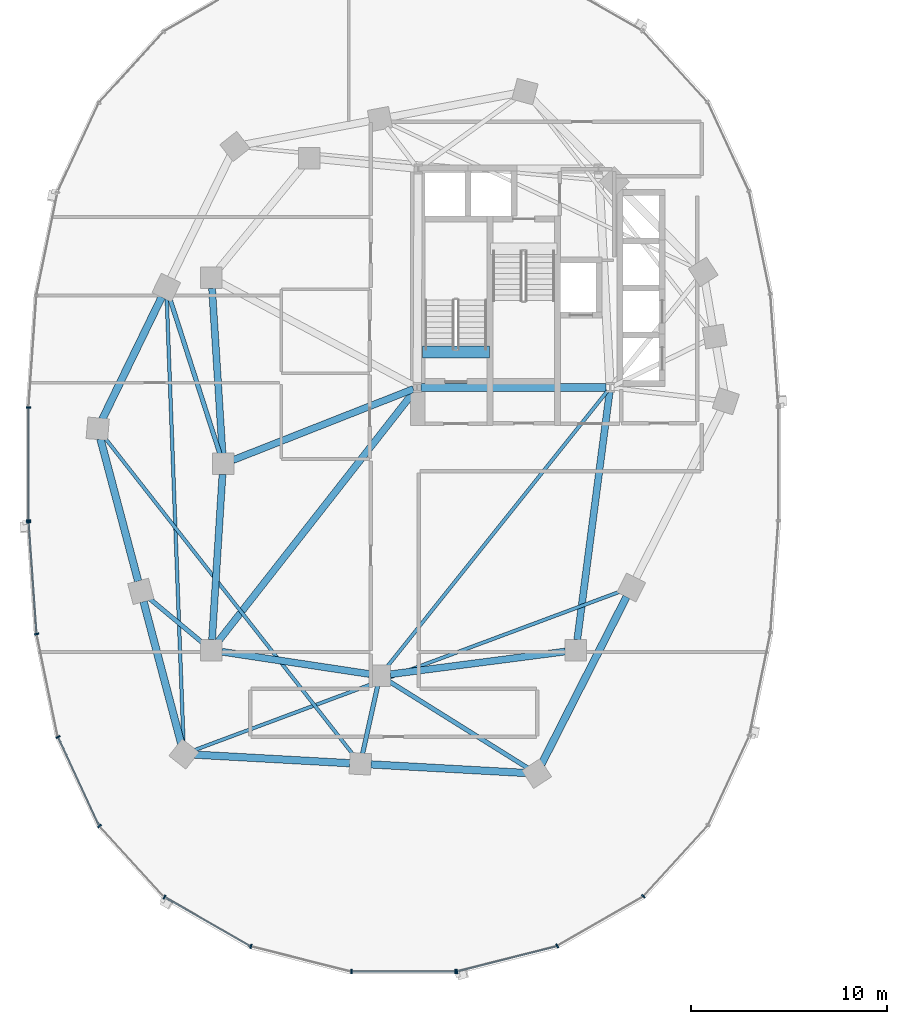
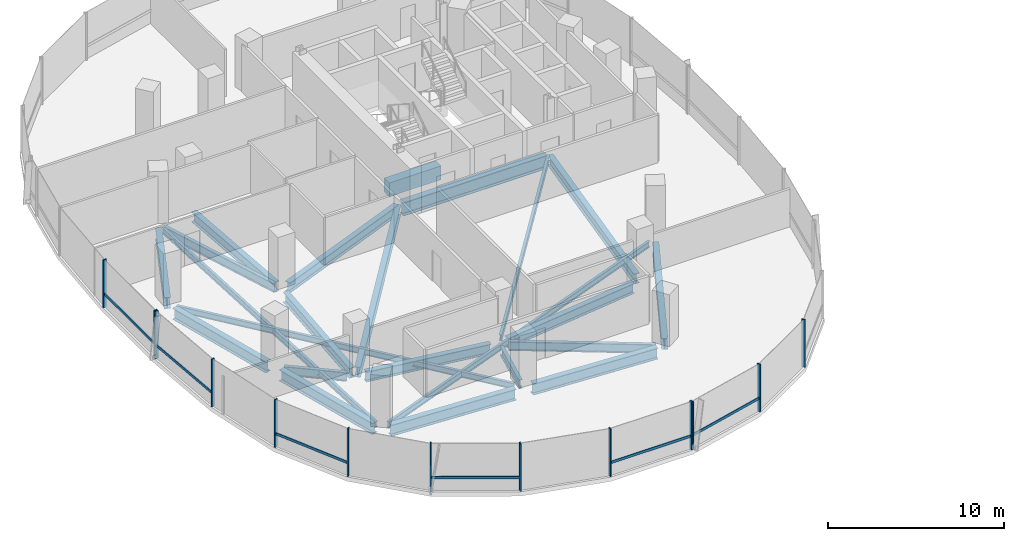
# One storey, part 2 of 21: 23 beams, 19 members, 3 elements without a shape of their own.
"""IFC4 building model written with IfcOpenShell, lengths in metres."""

from ifc_helpers import new_model, si_unit, direction, frame, origin, origin_2d, place, context, subcontext, project, spatial, rectangle, i_section, extrude, material, material_profile, profile_set, type_object, element, aggregate, save


model = new_model("IFC4")

# Units and contexts
model_context = context("Model", 3, precision=1e-05, world=origin(), true_north=direction((0.0, 1.0)))
body_context = subcontext(model_context, "Body", "Model", "MODEL_VIEW")
ifc_project = project(units=[si_unit("LENGTHUNIT", "METRE"), si_unit("AREAUNIT", "SQUARE_METRE"), si_unit("VOLUMEUNIT", "CUBIC_METRE"), si_unit("PLANEANGLEUNIT", "RADIAN"), si_unit("MASSUNIT", "GRAM", prefix="KILO"), si_unit("THERMODYNAMICTEMPERATUREUNIT", "KELVIN"), si_unit("POWERUNIT", "WATT")], contexts=[model_context])

# Site, building, storey
site_placement = place(None, origin())
site = spatial("IfcSite", under=ifc_project, at=site_placement, CompositionType="ELEMENT")
building_placement = place(site_placement, origin())
building = spatial("IfcBuilding", under=site, at=building_placement, Name="Cundina Bronze Exchange", CompositionType="ELEMENT")
storey_placement = place(building_placement, frame((0.0, 0.0, 107.0)))
storey = spatial("IfcBuildingStorey", under=building, at=storey_placement, Name="L27", CompositionType="ELEMENT", Elevation=107.0)

# Beams
ifc_material_1 = material(Name="Concrete C60/75", Category="concrete")
ifc_material_profile_1 = material_profile(ifc_material_1, rectangle(XDim=0.60009765625, YDim=0.949951171875, at=origin_2d()), Name="RC600X950", Category="concrete")
ifc_profile_set_1 = profile_set([ifc_material_profile_1], Name="Concrete C60/75")
beam_type_1 = type_object("IfcBeamType", Name="BM-COUP-RC950", PredefinedType="LINTEL", material=ifc_profile_set_1)
beam_1_placement = place(storey_placement, frame((-31.02001953125, 5.719970703125, -0.47509765625), z_axis=(1.0, 0.0, 0.0), x_axis=(0.0, 1.0, 0.0)))
element("IfcBeam", 1, at=beam_1_placement, inside=storey, type_object=beam_type_1, Name="L27 Stair W1 Landing Header Beam", PredefinedType="LINTEL", context=body_context, shape_type="SweptSolid", body=[
    extrude(rectangle(XDim=0.60009765625, YDim=0.949951171875, at=origin_2d()), origin(), (0.0, 0.0, 1.0), 3.39990234375),
])
ifc_material_2 = material(Name="Steel ASTM A992 Grade 50", Category="steel")
ifc_material_profile_2 = material_profile(ifc_material_2, i_section(OverallWidth=0.22998046875, OverallDepth=0.616943359375, WebThickness=0.01318359375, FlangeThickness=0.022216796875, FilletRadius=0.013916015625, at=origin_2d()), Name="W24X94", Category="steel")
ifc_profile_set_2 = profile_set([ifc_material_profile_2], Name="Steel ASTM A992 Grade 50")
beam_type_2 = type_object("IfcBeamType", Name="BM-FLR-W24B", PredefinedType="BEAM", material=ifc_profile_set_2)
beam_2_placement = place(storey_placement, frame((-41.364990234375, 0.51220703125, -0.6083984375), z_axis=(-0.306710777581, 0.951802762612, 0.0), x_axis=(-0.951802762612, -0.306710777581, 0.0)))
element("IfcBeam", 2, at=beam_2_placement, inside=storey, type_object=beam_type_2, Name="L27 Leg W Radial Floor Beam 07", PredefinedType="BEAM", context=body_context, shape_type="SweptSolid", body=[
    extrude(i_section(OverallWidth=0.22998046875, OverallDepth=0.616943359375, WebThickness=0.01318359375, FlangeThickness=0.022216796875, FilletRadius=0.013916015625, at=origin_2d()), origin(), (0.0, 0.0, 1.0), 8.37939453125),
])
beam_3_placement = place(storey_placement, frame((-42.21337890625, -9.155517578125, -0.6083984375), z_axis=(-0.768243451945, 0.640157791911, 0.0), x_axis=(-0.640157791911, -0.768243451945, 0.0)))
element("IfcBeam", 3, at=beam_3_placement, inside=storey, type_object=beam_type_2, Name="L27 Leg W Radial Floor Beam 09", PredefinedType="BEAM", context=body_context, shape_type="SweptSolid", body=[
    extrude(i_section(OverallWidth=0.22998046875, OverallDepth=0.616943359375, WebThickness=0.01318359375, FlangeThickness=0.022216796875, FilletRadius=0.013916015625, at=origin_2d()), origin(), (0.0, 0.0, 1.0), 3.610107421875),
])
beam_4_placement = place(storey_placement, frame((-33.316650390625, -11.3251953125, -0.6083984375), z_axis=(-0.216930457819, -0.976187060184, 0.0), x_axis=(0.976187060184, -0.216930457819, 0.0)))
element("IfcBeam", 4, at=beam_4_placement, inside=storey, type_object=beam_type_2, Name="L27 Leg W Radial Floor Beam 11", PredefinedType="BEAM", context=body_context, shape_type="SweptSolid", body=[
    extrude(i_section(OverallWidth=0.22998046875, OverallDepth=0.616943359375, WebThickness=0.01318359375, FlangeThickness=0.022216796875, FilletRadius=0.013916015625, at=origin_2d()), origin(), (0.0, 0.0, 1.0), 3.533935546875),
])
beam_5_placement = place(storey_placement, frame((-32.743896484375, -11.085205078125, -0.6083984375), z_axis=(0.848003227047, -0.529991063055, 0.0), x_axis=(0.529991063055, 0.848003227047, 0.0)))
element("IfcBeam", 5, at=beam_5_placement, inside=storey, type_object=beam_type_2, Name="L27 Leg W Radial Floor Beam 12", PredefinedType="BEAM", context=body_context, shape_type="SweptSolid", body=[
    extrude(i_section(OverallWidth=0.22998046875, OverallDepth=0.616943359375, WebThickness=0.01318359375, FlangeThickness=0.022216796875, FilletRadius=0.013916015625, at=origin_2d()), origin(), (0.0, 0.0, 1.0), 8.358154296875),
])
ifc_material_profile_3 = material_profile(ifc_material_2, i_section(OverallWidth=0.178955078125, OverallDepth=0.409912109375, WebThickness=0.0087890625, FlangeThickness=0.014404296875, FilletRadius=0.010986328125, at=origin_2d()), Name="W16X45", Category="steel")
ifc_profile_set_3 = profile_set([ifc_material_profile_3], Name="Steel ASTM A992 Grade 50")
beam_type_3 = type_object("IfcBeamType", Name="BM-JST-W16", PredefinedType="JOIST", material=ifc_profile_set_3)
beam_6_placement = place(storey_placement, frame((-21.577392578125, 3.740478515625, -0.5048828125), z_axis=(-0.62436887964, -0.781129632095, 0.0), x_axis=(0.781129632095, -0.62436887964, 0.0)))
element("IfcBeam", 6, at=beam_6_placement, inside=storey, type_object=beam_type_3, Name="L27 W Interior Core-to-Ring Joist 2", PredefinedType="JOIST", context=body_context, shape_type="SweptSolid", body=[
    extrude(i_section(OverallWidth=0.178955078125, OverallDepth=0.409912109375, WebThickness=0.0087890625, FlangeThickness=0.014404296875, FilletRadius=0.010986328125, at=origin_2d()), origin(), (0.0, 0.0, 1.0), 18.076904296875),
])
beam_7_placement = place(storey_placement, frame((-44.07958984375, 8.46240234375, -0.5048828125), z_axis=(0.03778951385, -0.999285721224, 0.0), x_axis=(0.999285721224, 0.03778951385, 0.0)))
element("IfcBeam", 7, at=beam_7_placement, inside=storey, type_object=beam_type_3, Name="L27 Leg W Lobe Floor Joist 07-10", PredefinedType="JOIST", context=body_context, shape_type="SweptSolid", body=[
    extrude(i_section(OverallWidth=0.178955078125, OverallDepth=0.409912109375, WebThickness=0.0087890625, FlangeThickness=0.014404296875, FilletRadius=0.010986328125, at=origin_2d()), origin(), (0.0, 0.0, 1.0), 22.7412109375),
])
beam_8_placement = place(storey_placement, frame((-47.268310546875, 1.37646484375, -0.5048828125), z_axis=(0.616815348306, -0.787107887201, 0.0), x_axis=(0.787107887201, 0.616815348306, 0.0)))
element("IfcBeam", 8, at=beam_8_placement, inside=storey, type_object=beam_type_3, Name="L27 Leg W Lobe Floor Joist 08-11", PredefinedType="JOIST", context=body_context, shape_type="SweptSolid", body=[
    extrude(i_section(OverallWidth=0.178955078125, OverallDepth=0.409912109375, WebThickness=0.0087890625, FlangeThickness=0.014404296875, FilletRadius=0.010986328125, at=origin_2d()), origin(), (0.0, 0.0, 1.0), 20.64892578125),
])
beam_9_placement = place(storey_placement, frame((-42.69580078125, -14.6123046875, -0.5048828125), z_axis=(0.937127917421, 0.348986054721, 0.0), x_axis=(-0.348986054721, 0.937127917421, 0.0)))
element("IfcBeam", 9, at=beam_9_placement, inside=storey, type_object=beam_type_3, Name="L27 Leg W Lobe Floor Joist 10-13", PredefinedType="JOIST", context=body_context, shape_type="SweptSolid", body=[
    extrude(i_section(OverallWidth=0.178955078125, OverallDepth=0.409912109375, WebThickness=0.0087890625, FlangeThickness=0.014404296875, FilletRadius=0.010986328125, at=origin_2d()), origin(), (0.0, 0.0, 1.0), 23.2802734375),
])
ifc_material_profile_4 = material_profile(ifc_material_2, i_section(OverallWidth=0.35498046875, OverallDepth=0.695068359375, WebThickness=0.015380859375, FlangeThickness=0.02490234375, FilletRadius=0.01806640625, at=origin_2d()), Name="W27X146", Category="steel")
ifc_profile_set_4 = profile_set([ifc_material_profile_4], Name="Steel ASTM A992 Grade 50")
beam_type_4 = type_object("IfcBeamType", Name="BM-RING-W27", PredefinedType="USERDEFINED", material=ifc_profile_set_4)
for number, where, z_axis, x_axis, name in (
    (10, (-41.76611328125, 8.963134765625, -0.6474609375), (0.06303715519, -0.998011180832, 0.0), (0.998011180832, 0.06303715519, 0.0), "L27 W Inner Structural Ring Girder 03"),
    (11, (-41.23388671875, -0.536865234375, -0.6474609375), (-0.06303715519, -0.998011180832, 0.0), (0.998011180832, -0.06303715519, 0.0), "L27 W Inner Structural Ring Girder 04"),
):
    element("IfcBeam", number, at=place(storey_placement, frame(where, z_axis=z_axis, x_axis=x_axis)), inside=storey, type_object=beam_type_4, Name=name, ObjectType="GIRDER", PredefinedType="USERDEFINED", context=body_context, shape_type="SweptSolid", body=[
        extrude(i_section(OverallWidth=0.35498046875, OverallDepth=0.695068359375, WebThickness=0.015380859375, FlangeThickness=0.02490234375, FilletRadius=0.01806640625, at=origin_2d()), origin(), (0.0, 0.0, 1.0), 8.443115234375),
    ])
beam_10_placement = place(storey_placement, frame((-41.26806640625, -9.580322265625, -0.6474609375), z_axis=(0.988767489563, -0.149461873341, 0.0), x_axis=(0.149461873341, 0.988767489563, 0.0)))
element("IfcBeam", 12, at=beam_10_placement, inside=storey, type_object=beam_type_4, Name="L27 W Inner Structural Ring Girder 05", ObjectType="GIRDER", PredefinedType="USERDEFINED", context=body_context, shape_type="SweptSolid", body=[
    extrude(i_section(OverallWidth=0.35498046875, OverallDepth=0.695068359375, WebThickness=0.015380859375, FlangeThickness=0.02490234375, FilletRadius=0.01806640625, at=origin_2d()), origin(), (0.0, 0.0, 1.0), 7.621826171875),
])
beam_11_placement = place(storey_placement, frame((-32.66650390625, -10.730712890625, -0.6474609375), z_axis=(0.991654577907, 0.128923225666, 0.0), x_axis=(-0.128923225666, 0.991654577907, 0.0)))
element("IfcBeam", 13, at=beam_11_placement, inside=storey, type_object=beam_type_4, Name="L27 W Inner Structural Ring Girder 06", ObjectType="GIRDER", PredefinedType="USERDEFINED", context=body_context, shape_type="SweptSolid", body=[
    extrude(i_section(OverallWidth=0.35498046875, OverallDepth=0.695068359375, WebThickness=0.015380859375, FlangeThickness=0.02490234375, FilletRadius=0.01806640625, at=origin_2d()), origin(), (0.0, 0.0, 1.0), 9.00830078125),
])
beam_12_placement = place(storey_placement, frame((-23.13037109375, -8.966552734375, -0.6474609375), z_axis=(0.129507526533, 0.99157843894, 0.0), x_axis=(-0.99157843894, 0.129507526533, 0.0)))
element("IfcBeam", 14, at=beam_12_placement, inside=storey, type_object=beam_type_4, Name="L27 W Inner Structural Ring Girder 07", ObjectType="GIRDER", PredefinedType="USERDEFINED", context=body_context, shape_type="SweptSolid", body=[
    extrude(i_section(OverallWidth=0.35498046875, OverallDepth=0.695068359375, WebThickness=0.015380859375, FlangeThickness=0.02490234375, FilletRadius=0.01806640625, at=origin_2d()), origin(), (0.0, 0.0, 1.0), 12.77197265625),
])
beam_13_placement = place(storey_placement, frame((-31.48974609375, 3.8251953125, -0.6474609375), z_axis=(-0.930413235418, -0.366512225388, 0.0), x_axis=(0.366512225388, -0.930413235418, 0.0)))
element("IfcBeam", 15, at=beam_13_placement, inside=storey, type_object=beam_type_4, Name="L27 W Core-to-Waist Tie Beam 1", ObjectType="GIRDER", PredefinedType="USERDEFINED", context=body_context, shape_type="SweptSolid", body=[
    extrude(i_section(OverallWidth=0.35498046875, OverallDepth=0.695068359375, WebThickness=0.015380859375, FlangeThickness=0.02490234375, FilletRadius=0.01806640625, at=origin_2d()), origin(), (0.0, 0.0, 1.0), 9.8984375),
])
beam_14_placement = place(storey_placement, frame((-31.42578125, 3.739501953125, -0.6474609375), z_axis=(-0.616789275748, -0.787128318206, 0.0), x_axis=(0.787128318206, -0.616789275748, 0.0)))
element("IfcBeam", 16, at=beam_14_placement, inside=storey, type_object=beam_type_4, Name="L27 W Core-to-Waist Tie Beam 3", ObjectType="GIRDER", PredefinedType="USERDEFINED", context=body_context, shape_type="SweptSolid", body=[
    extrude(i_section(OverallWidth=0.35498046875, OverallDepth=0.695068359375, WebThickness=0.015380859375, FlangeThickness=0.02490234375, FilletRadius=0.01806640625, at=origin_2d()), origin(), (0.0, 0.0, 1.0), 16.281982421875),
])
ifc_material_profile_5 = material_profile(ifc_material_2, i_section(OverallWidth=0.381103515625, OverallDepth=0.77294921875, WebThickness=0.0166015625, FlangeThickness=0.027099609375, FilletRadius=0.01904296875, at=origin_2d()), Name="W30X173", Category="steel")
ifc_profile_set_5 = profile_set([ifc_material_profile_5], Name="Steel ASTM A992 Grade 50")
beam_type_5 = type_object("IfcBeamType", Name="BM-RING-W30", PredefinedType="USERDEFINED", material=ifc_profile_set_5)
beam_15_placement = place(storey_placement, frame((-44.335205078125, 8.51611328125, -0.6865234375), z_axis=(-0.437193894283, -0.899367276924, 0.0), x_axis=(0.899367276924, -0.437193894283, 0.0)))
element("IfcBeam", 17, at=beam_15_placement, inside=storey, type_object=beam_type_5, Name="L27 W Perimeter Ring Girder 07", ObjectType="GIRDER", PredefinedType="USERDEFINED", context=body_context, shape_type="SweptSolid", body=[
    extrude(i_section(OverallWidth=0.381103515625, OverallDepth=0.77294921875, WebThickness=0.0166015625, FlangeThickness=0.027099609375, FilletRadius=0.01904296875, at=origin_2d()), origin(), (0.0, 0.0, 1.0), 6.929443359375),
])
for number, where, z_axis, x_axis, name in (
    (18, (-47.462158203125, 1.280029296875, -0.6865234375), (0.256209719931, -0.966621218168, 0.0), (0.966621218168, 0.256209719931, 0.0), "L27 W Perimeter Ring Girder 08"),
    (19, (-45.26220703125, -7.02001953125, -0.6865234375), (0.256209719931, -0.966621218168, 0.0), (0.966621218168, 0.256209719931, 0.0), "L27 W Perimeter Ring Girder 09"),
):
    element("IfcBeam", number, at=place(storey_placement, frame(where, z_axis=z_axis, x_axis=x_axis)), inside=storey, type_object=beam_type_5, Name=name, ObjectType="GIRDER", PredefinedType="USERDEFINED", context=body_context, shape_type="SweptSolid", body=[
        extrude(i_section(OverallWidth=0.381103515625, OverallDepth=0.77294921875, WebThickness=0.0166015625, FlangeThickness=0.027099609375, FilletRadius=0.01904296875, at=origin_2d()), origin(), (0.0, 0.0, 1.0), 7.5107421875),
    ])
for number, where, z_axis, x_axis, name in (
    (20, (-42.662841796875, -14.829833984375, -0.6865234375), (0.99845950136, -0.055485350721, 0.0), (0.055485350721, 0.99845950136, 0.0), "L27 W Perimeter Ring Girder 10"),
    (21, (-33.662841796875, -15.329833984375, -0.6865234375), (0.99845950136, -0.055485350721, 0.0), (0.055485350721, 0.99845950136, 0.0), "L27 W Perimeter Ring Girder 11"),
):
    element("IfcBeam", number, at=place(storey_placement, frame(where, z_axis=z_axis, x_axis=x_axis)), inside=storey, type_object=beam_type_5, Name=name, ObjectType="GIRDER", PredefinedType="USERDEFINED", context=body_context, shape_type="SweptSolid", body=[
        extrude(i_section(OverallWidth=0.381103515625, OverallDepth=0.77294921875, WebThickness=0.0166015625, FlangeThickness=0.027099609375, FilletRadius=0.01904296875, at=origin_2d()), origin(), (0.0, 0.0, 1.0), 7.937744140625),
    ])
beam_16_placement = place(storey_placement, frame((-24.956298828125, -15.3203125, -0.6865234375), z_axis=(0.452832332744, 0.891595692241, 0.0), x_axis=(-0.891595692241, 0.452832332744, 0.0)))
element("IfcBeam", 22, at=beam_16_placement, inside=storey, type_object=beam_type_5, Name="L27 W Perimeter Ring Girder 12", ObjectType="GIRDER", PredefinedType="USERDEFINED", context=body_context, shape_type="SweptSolid", body=[
    extrude(i_section(OverallWidth=0.381103515625, OverallDepth=0.77294921875, WebThickness=0.0166015625, FlangeThickness=0.027099609375, FilletRadius=0.01904296875, at=origin_2d()), origin(), (0.0, 0.0, 1.0), 9.578857421875),
])
ifc_material_profile_6 = material_profile(ifc_material_2, i_section(OverallWidth=0.41796875, OverallDepth=0.927001953125, WebThickness=0.019287109375, FlangeThickness=0.031982421875, FilletRadius=0.02392578125, at=origin_2d()), Name="W36X231", Category="steel")
ifc_profile_set_6 = profile_set([ifc_material_profile_6], Name="Steel ASTM A992 Grade 50")
beam_type_6 = type_object("IfcBeamType", Name="BM-WRN-W36B", PredefinedType="USERDEFINED", material=ifc_profile_set_6)
beam_17_placement = place(storey_placement, frame((-31.095947265625, 3.89990234375, -0.763427734375), z_axis=(1.0, 0.0, 0.0), x_axis=(0.0, 1.0, 0.0)))
element("IfcBeam", 23, at=beam_17_placement, inside=storey, type_object=beam_type_6, Name="L27 W Core Perimeter Tie Girder 1", ObjectType="GIRDER", PredefinedType="USERDEFINED", context=body_context, shape_type="SweptSolid", body=[
    extrude(i_section(OverallWidth=0.41796875, OverallDepth=0.927001953125, WebThickness=0.019287109375, FlangeThickness=0.031982421875, FilletRadius=0.02392578125, at=origin_2d()), origin(), (0.0, 0.0, 1.0), 9.44189453125),
])

# Curtain wall, members
ifc_material_3 = material(Name="Anodised Bronze Aluminium 6063-T6", Category="aluminium")
curtain_wall_type = type_object("IfcCurtainWallType", Name="CWS-TRD-MID", PredefinedType="NOTDEFINED", material=ifc_material_3)
curtain_wall_1_placement = place(storey_placement, origin())
curtain_wall_1 = element("IfcCurtainWall", 24, at=curtain_wall_1_placement, inside=storey, type_object=curtain_wall_type, Name="L27 CW-03 Curtain Wall Run CWR-L27-W2", PredefinedType="NOTDEFINED")
ifc_material_profile_7 = material_profile(ifc_material_3, rectangle(XDim=0.074951171875, YDim=0.219970703125, at=origin_2d()), Name="AL75X220", Category="aluminium")
ifc_profile_set_7 = profile_set([ifc_material_profile_7], Name="Anodised Bronze Aluminium 6063-T6")
member_type_1 = type_object("IfcMemberType", Name="CWM-MUL-220", PredefinedType="MULLION", material=ifc_profile_set_7)
member_1_placement = place(storey_placement, frame((-51.1279296875, 2.880615234375, 0.0), z_axis=(0.0, 0.0, 1.0), x_axis=(0.0, -1.0, 0.0)))
member_1 = element("IfcMember", 25, at=member_1_placement, type_object=member_type_1, Name="CW-03 Mullion 7", PredefinedType="MULLION", context=body_context, shape_type="SweptSolid", body=[
    extrude(rectangle(XDim=0.074951171875, YDim=0.219970703125, at=origin_2d()), origin(), (0.0, 0.0, 1.0), 3.300048828125),
])
member_2_placement = place(storey_placement, frame((-51.1279296875, -2.880615234375, 0.0), z_axis=(0.0, 0.0, 1.0), x_axis=(0.0, -1.0, 0.0)))
member_2 = element("IfcMember", 26, at=member_2_placement, type_object=member_type_1, Name="CW-03 End Mullion", PredefinedType="MULLION", context=body_context, shape_type="SweptSolid", body=[
    extrude(rectangle(XDim=0.074951171875, YDim=0.219970703125, at=origin_2d()), origin(), (0.0, 0.0, 1.0), 3.300048828125),
])

curtain_wall_2_placement = place(storey_placement, origin())
curtain_wall_2 = element("IfcCurtainWall", 27, at=curtain_wall_2_placement, inside=storey, type_object=curtain_wall_type, Name="L27 CW-03 Curtain Wall Run CWR-L27-W3", PredefinedType="NOTDEFINED")
member_3_placement = place(storey_placement, frame((-51.12451171875, -2.976318359375, 0.0), z_axis=(0.0, 0.0, 1.0), x_axis=(0.070278787473, -0.997527389113, 0.0)))
member_3 = element("IfcMember", 28, at=member_3_placement, type_object=member_type_1, Name="CW-03 Mullion 1", PredefinedType="MULLION", context=body_context, shape_type="SweptSolid", body=[
    extrude(rectangle(XDim=0.074951171875, YDim=0.219970703125, at=origin_2d()), origin(), (0.0, 0.0, 1.0), 3.300048828125),
])
member_4_placement = place(storey_placement, frame((-50.717041015625, -8.67822265625, 0.0), z_axis=(0.0, 0.0, 1.0), x_axis=(0.201419845156, -0.979505000486, 0.0)))
member_4 = element("IfcMember", 29, at=member_4_placement, type_object=member_type_1, Name="CW-03 Mullion 2", PredefinedType="MULLION", context=body_context, shape_type="SweptSolid", body=[
    extrude(rectangle(XDim=0.074951171875, YDim=0.219970703125, at=origin_2d()), origin(), (0.0, 0.0, 1.0), 3.300048828125),
])
member_5_placement = place(storey_placement, frame((-49.6279296875, -13.931884765625, 0.0), z_axis=(0.0, 0.0, 1.0), x_axis=(0.42087749791, -0.907117485088, 0.0)))
member_5 = element("IfcMember", 30, at=member_5_placement, type_object=member_type_1, Name="CW-03 Mullion 3", PredefinedType="MULLION", context=body_context, shape_type="SweptSolid", body=[
    extrude(rectangle(XDim=0.074951171875, YDim=0.219970703125, at=origin_2d()), origin(), (0.0, 0.0, 1.0), 3.300048828125),
])
member_6_placement = place(storey_placement, frame((-47.508544921875, -18.47705078125, 0.0), z_axis=(0.0, 0.0, 1.0), x_axis=(0.674302387584, -0.738455340626, 0.0)))
member_6 = element("IfcMember", 31, at=member_6_placement, type_object=member_type_1, Name="CW-03 Mullion 4", PredefinedType="MULLION", context=body_context, shape_type="SweptSolid", body=[
    extrude(rectangle(XDim=0.074951171875, YDim=0.219970703125, at=origin_2d()), origin(), (0.0, 0.0, 1.0), 3.300048828125),
])
member_7_placement = place(storey_placement, frame((-44.189697265625, -22.097412109375, 0.0), z_axis=(0.0, 0.0, 1.0), x_axis=(0.867070701164, -0.498185105339, 0.0)))
member_7 = element("IfcMember", 32, at=member_7_placement, type_object=member_type_1, Name="CW-03 Mullion 5", PredefinedType="MULLION", context=body_context, shape_type="SweptSolid", body=[
    extrude(rectangle(XDim=0.074951171875, YDim=0.219970703125, at=origin_2d()), origin(), (0.0, 0.0, 1.0), 3.300048828125),
])
member_8_placement = place(storey_placement, frame((-39.78515625, -24.61669921875, 0.0), z_axis=(0.0, 0.0, 1.0), x_axis=(0.969488149345, -0.245138182011, 0.0)))
member_8 = element("IfcMember", 33, at=member_8_placement, type_object=member_type_1, Name="CW-03 Mullion 6", PredefinedType="MULLION", context=body_context, shape_type="SweptSolid", body=[
    extrude(rectangle(XDim=0.074951171875, YDim=0.219970703125, at=origin_2d()), origin(), (0.0, 0.0, 1.0), 3.300048828125),
])
member_9_placement = place(storey_placement, frame((-34.654541015625, -25.905029296875, 0.0), z_axis=(0.0, 0.0, 1.0), x_axis=(1.0, 0.0, 0.0)))
member_9 = element("IfcMember", 34, at=member_9_placement, type_object=member_type_1, Name="CW-03 Mullion 7", PredefinedType="MULLION", context=body_context, shape_type="SweptSolid", body=[
    extrude(rectangle(XDim=0.074951171875, YDim=0.219970703125, at=origin_2d()), origin(), (0.0, 0.0, 1.0), 3.300048828125),
])
member_10_placement = place(storey_placement, frame((-29.345458984375, -25.905029296875, 0.0), z_axis=(0.0, 0.0, 1.0), x_axis=(1.0, 0.0, 0.0)))
member_10 = element("IfcMember", 35, at=member_10_placement, type_object=member_type_1, Name="CW-03 End Mullion", PredefinedType="MULLION", context=body_context, shape_type="SweptSolid", body=[
    extrude(rectangle(XDim=0.074951171875, YDim=0.219970703125, at=origin_2d()), origin(), (0.0, 0.0, 1.0), 3.300048828125),
])

curtain_wall_3_placement = place(storey_placement, origin())
curtain_wall_3 = element("IfcCurtainWall", 36, at=curtain_wall_3_placement, inside=storey, type_object=curtain_wall_type, Name="L27 CW-03 Curtain Wall Run CWR-L27-W4", PredefinedType="NOTDEFINED")
member_11_placement = place(storey_placement, frame((-29.27392578125, -25.89599609375, 0.0), z_axis=(0.0, 0.0, 1.0), x_axis=(0.969488149345, 0.245138182011, 0.0)))
member_11 = element("IfcMember", 37, at=member_11_placement, type_object=member_type_1, Name="CW-03 Mullion 1", PredefinedType="MULLION", context=body_context, shape_type="SweptSolid", body=[
    extrude(rectangle(XDim=0.074951171875, YDim=0.219970703125, at=origin_2d()), origin(), (0.0, 0.0, 1.0), 3.300048828125),
])
member_12_placement = place(storey_placement, frame((-24.151123046875, -24.591064453125, 0.0), z_axis=(0.0, 0.0, 1.0), x_axis=(0.867070701164, 0.498185105339, 0.0)))
member_12 = element("IfcMember", 38, at=member_12_placement, type_object=member_type_1, Name="CW-03 Mullion 2", PredefinedType="MULLION", context=body_context, shape_type="SweptSolid", body=[
    extrude(rectangle(XDim=0.074951171875, YDim=0.219970703125, at=origin_2d()), origin(), (0.0, 0.0, 1.0), 3.300048828125),
])
member_13_placement = place(storey_placement, frame((-19.760498046875, -22.0576171875, 0.0), z_axis=(0.0, 0.0, 1.0), x_axis=(0.674302387584, 0.738455340626, 0.0)))
member_13 = element("IfcMember", 39, at=member_13_placement, type_object=member_type_1, Name="CW-03 Mullion 3", PredefinedType="MULLION", context=body_context, shape_type="SweptSolid", body=[
    extrude(rectangle(XDim=0.074951171875, YDim=0.219970703125, at=origin_2d()), origin(), (0.0, 0.0, 1.0), 3.300048828125),
])

# Member
ifc_material_profile_8 = material_profile(ifc_material_3, rectangle(XDim=0.070068359375, YDim=0.179931640625, at=origin_2d()), Name="AL70X180", Category="aluminium")
ifc_profile_set_8 = profile_set([ifc_material_profile_8], Name="Anodised Bronze Aluminium 6063-T6")
member_type_2 = type_object("IfcMemberType", Name="CWM-TRN-180", PredefinedType="USERDEFINED", material=ifc_profile_set_8)
member_14_placement = place(storey_placement, frame((-51.1279296875, 2.839111328125, 0.919921875), z_axis=(0.0, -1.0, 0.0), x_axis=(1.0, 0.0, 0.0)))
member_14 = element("IfcMember", 40, at=member_14_placement, type_object=member_type_2, Name="CW-03 Spandrel Transom 7", ObjectType="TRANSOM", PredefinedType="USERDEFINED", context=body_context, shape_type="SweptSolid", body=[
    extrude(rectangle(XDim=0.070068359375, YDim=0.179931640625, at=origin_2d()), origin(), (0.0, 0.0, 1.0), 5.67822265625),
])

aggregate(curtain_wall_1, [member_1, member_2, member_14])

member_15_placement = place(storey_placement, frame((-51.12158203125, -3.017333984375, 0.919921875), z_axis=(0.070260714471, -0.997528662246, 0.0), x_axis=(0.997528662246, 0.070260714471, 0.0)))
member_15 = element("IfcMember", 41, at=member_15_placement, type_object=member_type_2, Name="CW-03 Spandrel Transom 1", ObjectType="TRANSOM", PredefinedType="USERDEFINED", context=body_context, shape_type="SweptSolid", body=[
    extrude(rectangle(XDim=0.070068359375, YDim=0.179931640625, at=origin_2d()), origin(), (0.0, 0.0, 1.0), 5.629150390625),
])

member_16_placement = place(storey_placement, frame((-49.610595703125, -13.96923828125, 0.919921875), z_axis=(0.420811422796, -0.907148139195, 0.0), x_axis=(0.907148139195, 0.420811422796, 0.0)))
member_16 = element("IfcMember", 42, at=member_16_placement, type_object=member_type_2, Name="CW-03 Spandrel Transom 3", ObjectType="TRANSOM", PredefinedType="USERDEFINED", context=body_context, shape_type="SweptSolid", body=[
    extrude(rectangle(XDim=0.070068359375, YDim=0.179931640625, at=origin_2d()), origin(), (0.0, 0.0, 1.0), 4.95166015625),
])

member_17_placement = place(storey_placement, frame((-44.154052734375, -22.117919921875, 0.919921875), z_axis=(0.867097475651, -0.498138502546, 0.0), x_axis=(0.498138502546, 0.867097475651, 0.0)))
member_17 = element("IfcMember", 43, at=member_17_placement, type_object=member_type_2, Name="CW-03 Spandrel Transom 5", ObjectType="TRANSOM", PredefinedType="USERDEFINED", context=body_context, shape_type="SweptSolid", body=[
    extrude(rectangle(XDim=0.070068359375, YDim=0.179931640625, at=origin_2d()), origin(), (0.0, 0.0, 1.0), 5.00634765625),
])

member_18_placement = place(storey_placement, frame((-34.61328125, -25.905029296875, 0.919921875), z_axis=(1.0, 0.0, 0.0), x_axis=(0.0, 1.0, 0.0)))
member_18 = element("IfcMember", 44, at=member_18_placement, type_object=member_type_2, Name="CW-03 Spandrel Transom 7", ObjectType="TRANSOM", PredefinedType="USERDEFINED", context=body_context, shape_type="SweptSolid", body=[
    extrude(rectangle(XDim=0.070068359375, YDim=0.179931640625, at=origin_2d()), origin(), (0.0, 0.0, 1.0), 5.2265625),
])

aggregate(curtain_wall_2, [member_3, member_15, member_4, member_5, member_16, member_6, member_7, member_17, member_8, member_9, member_10, member_18])

member_19_placement = place(storey_placement, frame((-29.23388671875, -25.885986328125, 0.919921875), z_axis=(0.969483968866, 0.245154714644, 0.0), x_axis=(-0.245154714644, 0.969483968866, 0.0)))
member_19 = element("IfcMember", 45, at=member_19_placement, type_object=member_type_2, Name="CW-03 Spandrel Transom 1", ObjectType="TRANSOM", PredefinedType="USERDEFINED", context=body_context, shape_type="SweptSolid", body=[
    extrude(rectangle(XDim=0.070068359375, YDim=0.179931640625, at=origin_2d()), origin(), (0.0, 0.0, 1.0), 5.21826171875),
])

aggregate(curtain_wall_3, [member_11, member_19, member_12, member_13])

save(model, "model.ifc")
